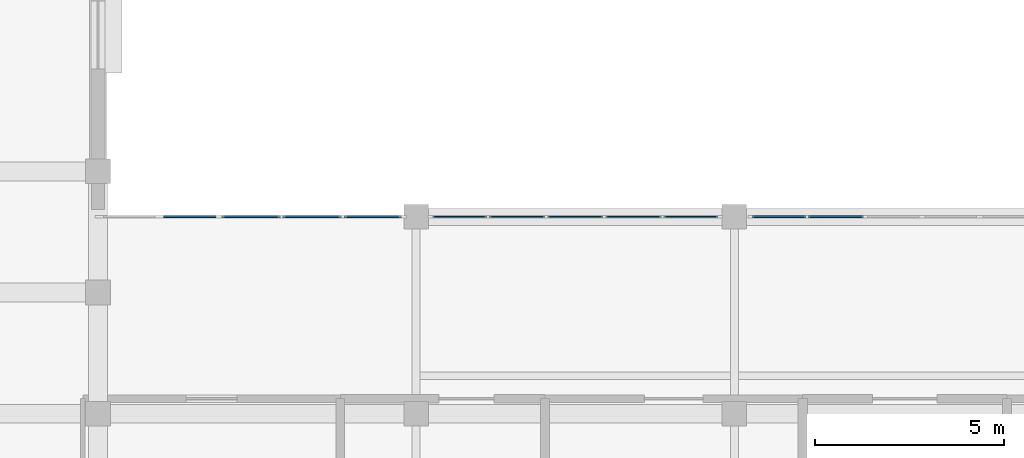
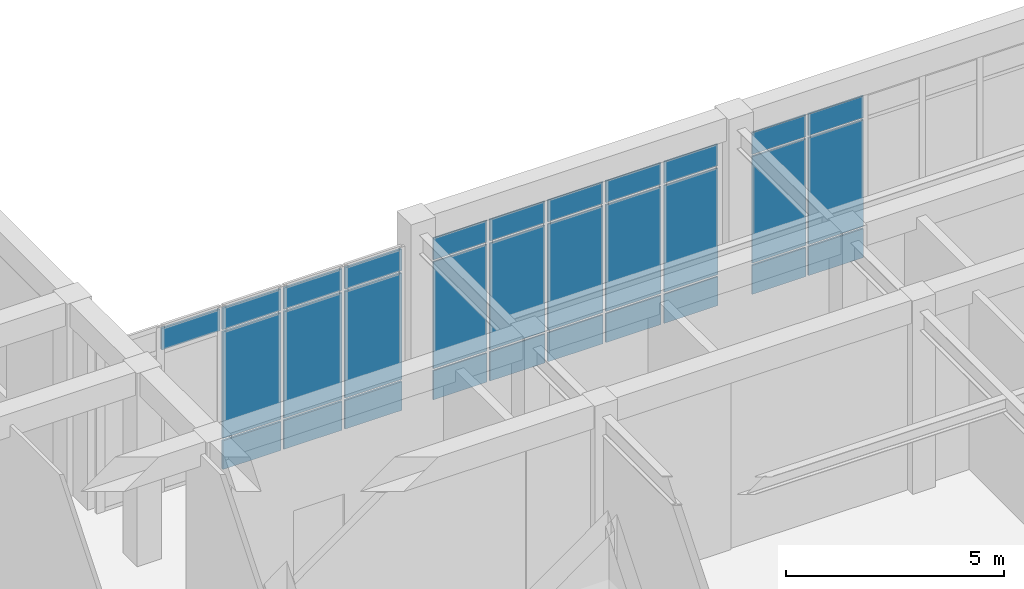
# One storey, part 46 of 89: 31 plates, 3 elements without a shape of their own.
"""IFC4 building model written with IfcOpenShell, lengths in metres."""

from ifc_helpers import new_model, si_unit, direction, frame, origin, origin_2d, place, context, subcontext, project, spatial, rectangle, extrude, material, layer, layer_set, type_object, element, aggregate, save


model = new_model("IFC4")

# Units and contexts
model_context = context("Model", 3, precision=1e-05, world=origin(), true_north=direction((0.0, 1.0)))
body_context = subcontext(model_context, "Body", "Model", "MODEL_VIEW")
ifc_project = project(units=[si_unit("LENGTHUNIT", "METRE"), si_unit("AREAUNIT", "SQUARE_METRE"), si_unit("VOLUMEUNIT", "CUBIC_METRE"), si_unit("PLANEANGLEUNIT", "RADIAN"), si_unit("MASSUNIT", "GRAM", prefix="KILO")], contexts=[model_context])

# Site, building, storey
site_placement = place(None, origin())
site = spatial("IfcSite", under=ifc_project, at=site_placement, CompositionType="ELEMENT")
building_placement = place(site_placement, origin())
building = spatial("IfcBuilding", under=site, at=building_placement, Name="Varncliffe General Hospital", CompositionType="ELEMENT")
storey_placement = place(building_placement, frame((0.0, 0.0, 10.800048828125)))
storey = spatial("IfcBuildingStorey", under=building, at=storey_placement, Name="L02", CompositionType="ELEMENT", Elevation=10.800048828125)

# Curtain wall, plates
ifc_material_1 = material(Name="Triple low-E argon insulated vision glazing", Category="glass")
curtain_wall_type_1 = type_object("IfcCurtainWallType", Name="Unitised Glazed Curtain Wall CW26 (7594x4640)", PredefinedType="USERDEFINED", material=ifc_material_1)
curtain_wall_1_placement = place(storey_placement, origin())
curtain_wall_1 = element("IfcCurtainWall", 1, at=curtain_wall_1_placement, inside=storey, type_object=curtain_wall_type_1, Name="L02 Glazed Curtain Wall CW26-113", ObjectType="GLAZED CURTAIN WALL", PredefinedType="USERDEFINED")
ifc_layer_1 = layer(ifc_material_1, 0.0439453125)
ifc_layer_set_1 = layer_set([ifc_layer_1], Name="Triple low-E argon insulated vision glazing")
plate_type_1 = type_object("IfcPlateType", Name="Curtain Wall Glazing Panel CP12 (44mm)", PredefinedType="CURTAIN_PANEL", material=ifc_layer_set_1)
plate_1_placement = place(storey_placement, frame((85.1787109375, 108.0, 0.059814453125), z_axis=(0.0, 0.0, 1.0), x_axis=(1.0, 0.0, 0.0)))
plate_1 = element("IfcPlate", 2, at=plate_1_placement, type_object=plate_type_1, Name="CW26 panel 1.1", PredefinedType="CURTAIN_PANEL", context=body_context, shape_type="SweptSolid", body=[
    extrude(rectangle(XDim=1.42138671875, YDim=0.0439453125, at=origin_2d()), origin(), (0.0, 0.0, 1.0), 0.81005859375),
])
plate_2_placement = place(storey_placement, frame((85.1787109375, 108.0, 0.929931640625), z_axis=(0.0, 0.0, 1.0), x_axis=(1.0, 0.0, 0.0)))
plate_2 = element("IfcPlate", 3, at=plate_2_placement, type_object=plate_type_1, Name="CW26 panel 1.2", PredefinedType="CURTAIN_PANEL", context=body_context, shape_type="SweptSolid", body=[
    extrude(rectangle(XDim=1.42138671875, YDim=0.0439453125, at=origin_2d()), origin(), (0.0, 0.0, 1.0), 2.97998046875),
])
plate_3_placement = place(storey_placement, frame((85.1787109375, 108.0, 3.9697265625), z_axis=(0.0, 0.0, 1.0), x_axis=(1.0, 0.0, 0.0)))
plate_3 = element("IfcPlate", 4, at=plate_3_placement, type_object=plate_type_1, Name="CW26 panel 1.3", PredefinedType="CURTAIN_PANEL", context=body_context, shape_type="SweptSolid", body=[
    extrude(rectangle(XDim=1.42138671875, YDim=0.0439453125, at=origin_2d()), origin(), (0.0, 0.0, 1.0), 0.610107421875),
])
plate_4_placement = place(storey_placement, frame((86.68115234375, 108.0, 0.059814453125), z_axis=(0.0, 0.0, 1.0), x_axis=(1.0, 0.0, 0.0)))
plate_4 = element("IfcPlate", 5, at=plate_4_placement, type_object=plate_type_1, Name="CW26 panel 2.1", PredefinedType="CURTAIN_PANEL", context=body_context, shape_type="SweptSolid", body=[
    extrude(rectangle(XDim=1.453857421875, YDim=0.0439453125, at=origin_2d()), origin(), (0.0, 0.0, 1.0), 0.81005859375),
])
plate_5_placement = place(storey_placement, frame((86.68115234375, 108.0, 0.929931640625), z_axis=(0.0, 0.0, 1.0), x_axis=(1.0, 0.0, 0.0)))
plate_5 = element("IfcPlate", 6, at=plate_5_placement, type_object=plate_type_1, Name="CW26 panel 2.2", PredefinedType="CURTAIN_PANEL", context=body_context, shape_type="SweptSolid", body=[
    extrude(rectangle(XDim=1.453857421875, YDim=0.0439453125, at=origin_2d()), origin(), (0.0, 0.0, 1.0), 2.97998046875),
])
plate_6_placement = place(storey_placement, frame((86.68115234375, 108.0, 3.9697265625), z_axis=(0.0, 0.0, 1.0), x_axis=(1.0, 0.0, 0.0)))
plate_6 = element("IfcPlate", 7, at=plate_6_placement, type_object=plate_type_1, Name="CW26 panel 2.3", PredefinedType="CURTAIN_PANEL", context=body_context, shape_type="SweptSolid", body=[
    extrude(rectangle(XDim=1.453857421875, YDim=0.0439453125, at=origin_2d()), origin(), (0.0, 0.0, 1.0), 0.610107421875),
])
aggregate(curtain_wall_1, [plate_1, plate_2, plate_3, plate_4, plate_5, plate_6])

curtain_wall_type_2 = type_object("IfcCurtainWallType", Name="Unitised Glazed Curtain Wall CW15 (7674x4640)", PredefinedType="USERDEFINED", material=ifc_material_1)
curtain_wall_2_placement = place(storey_placement, origin())
curtain_wall_2 = element("IfcCurtainWall", 8, at=curtain_wall_2_placement, inside=storey, type_object=curtain_wall_type_2, Name="L02 Glazed Curtain Wall CW15-112", ObjectType="GLAZED CURTAIN WALL", PredefinedType="USERDEFINED")
ifc_layer_2 = layer(ifc_material_1, 0.035888671875)
ifc_layer_set_2 = layer_set([ifc_layer_2], Name="Triple low-E argon insulated vision glazing")
plate_type_2 = type_object("IfcPlateType", Name="Curtain Wall Glazing Panel CP27 (36mm)", PredefinedType="CURTAIN_PANEL", material=ifc_layer_set_2)
plate_7_placement = place(storey_placement, frame((76.749267578125, 108.0, 0.059814453125), z_axis=(0.0, 0.0, 1.0), x_axis=(1.0, 0.0, 0.0)))
plate_7 = element("IfcPlate", 9, at=plate_7_placement, type_object=plate_type_2, Name="CW15 panel 1.1", PredefinedType="CURTAIN_PANEL", context=body_context, shape_type="SweptSolid", body=[
    extrude(rectangle(XDim=1.42236328125, YDim=0.035888671875, at=origin_2d()), origin(), (0.0, 0.0, 1.0), 0.81005859375),
])
plate_8_placement = place(storey_placement, frame((76.749267578125, 108.0, 0.929931640625), z_axis=(0.0, 0.0, 1.0), x_axis=(1.0, 0.0, 0.0)))
plate_8 = element("IfcPlate", 10, at=plate_8_placement, type_object=plate_type_2, Name="CW15 panel 1.2", PredefinedType="CURTAIN_PANEL", context=body_context, shape_type="SweptSolid", body=[
    extrude(rectangle(XDim=1.42236328125, YDim=0.035888671875, at=origin_2d()), origin(), (0.0, 0.0, 1.0), 2.97998046875),
])
plate_9_placement = place(storey_placement, frame((76.749267578125, 108.0, 3.9697265625), z_axis=(0.0, 0.0, 1.0), x_axis=(1.0, 0.0, 0.0)))
plate_9 = element("IfcPlate", 11, at=plate_9_placement, type_object=plate_type_2, Name="CW15 panel 1.3", PredefinedType="CURTAIN_PANEL", context=body_context, shape_type="SweptSolid", body=[
    extrude(rectangle(XDim=1.42236328125, YDim=0.035888671875, at=origin_2d()), origin(), (0.0, 0.0, 1.0), 0.610107421875),
])
plate_10_placement = place(storey_placement, frame((78.26513671875, 108.0, 0.059814453125), z_axis=(0.0, 0.0, 1.0), x_axis=(1.0, 0.0, 0.0)))
plate_10 = element("IfcPlate", 12, at=plate_10_placement, type_object=plate_type_2, Name="CW15 panel 2.1", PredefinedType="CURTAIN_PANEL", context=body_context, shape_type="SweptSolid", body=[
    extrude(rectangle(XDim=1.459716796875, YDim=0.035888671875, at=origin_2d()), origin(), (0.0, 0.0, 1.0), 0.81005859375),
])
plate_11_placement = place(storey_placement, frame((78.26513671875, 108.0, 0.929931640625), z_axis=(0.0, 0.0, 1.0), x_axis=(1.0, 0.0, 0.0)))
plate_11 = element("IfcPlate", 13, at=plate_11_placement, type_object=plate_type_2, Name="CW15 panel 2.2", PredefinedType="CURTAIN_PANEL", context=body_context, shape_type="SweptSolid", body=[
    extrude(rectangle(XDim=1.459716796875, YDim=0.035888671875, at=origin_2d()), origin(), (0.0, 0.0, 1.0), 2.97998046875),
])
plate_12_placement = place(storey_placement, frame((78.26513671875, 108.0, 3.9697265625), z_axis=(0.0, 0.0, 1.0), x_axis=(1.0, 0.0, 0.0)))
plate_12 = element("IfcPlate", 14, at=plate_12_placement, type_object=plate_type_2, Name="CW15 panel 2.3", PredefinedType="CURTAIN_PANEL", context=body_context, shape_type="SweptSolid", body=[
    extrude(rectangle(XDim=1.459716796875, YDim=0.035888671875, at=origin_2d()), origin(), (0.0, 0.0, 1.0), 0.610107421875),
])
plate_13_placement = place(storey_placement, frame((79.800048828125, 108.0, 0.059814453125), z_axis=(0.0, 0.0, 1.0), x_axis=(1.0, 0.0, 0.0)))
plate_13 = element("IfcPlate", 15, at=plate_13_placement, type_object=plate_type_2, Name="CW15 panel 3.1", PredefinedType="CURTAIN_PANEL", context=body_context, shape_type="SweptSolid", body=[
    extrude(rectangle(XDim=1.459716796875, YDim=0.035888671875, at=origin_2d()), origin(), (0.0, 0.0, 1.0), 0.81005859375),
])
plate_14_placement = place(storey_placement, frame((79.800048828125, 108.0, 0.929931640625), z_axis=(0.0, 0.0, 1.0), x_axis=(1.0, 0.0, 0.0)))
plate_14 = element("IfcPlate", 16, at=plate_14_placement, type_object=plate_type_2, Name="CW15 panel 3.2", PredefinedType="CURTAIN_PANEL", context=body_context, shape_type="SweptSolid", body=[
    extrude(rectangle(XDim=1.459716796875, YDim=0.035888671875, at=origin_2d()), origin(), (0.0, 0.0, 1.0), 2.97998046875),
])
plate_15_placement = place(storey_placement, frame((79.800048828125, 108.0, 3.9697265625), z_axis=(0.0, 0.0, 1.0), x_axis=(1.0, 0.0, 0.0)))
plate_15 = element("IfcPlate", 17, at=plate_15_placement, type_object=plate_type_2, Name="CW15 panel 3.3", PredefinedType="CURTAIN_PANEL", context=body_context, shape_type="SweptSolid", body=[
    extrude(rectangle(XDim=1.459716796875, YDim=0.035888671875, at=origin_2d()), origin(), (0.0, 0.0, 1.0), 0.610107421875),
])
plate_16_placement = place(storey_placement, frame((81.334716796875, 108.0, 0.059814453125), z_axis=(0.0, 0.0, 1.0), x_axis=(1.0, 0.0, 0.0)))
plate_16 = element("IfcPlate", 18, at=plate_16_placement, type_object=plate_type_2, Name="CW15 panel 4.1", PredefinedType="CURTAIN_PANEL", context=body_context, shape_type="SweptSolid", body=[
    extrude(rectangle(XDim=1.459716796875, YDim=0.035888671875, at=origin_2d()), origin(), (0.0, 0.0, 1.0), 0.81005859375),
])
plate_17_placement = place(storey_placement, frame((81.334716796875, 108.0, 0.929931640625), z_axis=(0.0, 0.0, 1.0), x_axis=(1.0, 0.0, 0.0)))
plate_17 = element("IfcPlate", 19, at=plate_17_placement, type_object=plate_type_2, Name="CW15 panel 4.2", PredefinedType="CURTAIN_PANEL", context=body_context, shape_type="SweptSolid", body=[
    extrude(rectangle(XDim=1.459716796875, YDim=0.035888671875, at=origin_2d()), origin(), (0.0, 0.0, 1.0), 2.97998046875),
])
plate_18_placement = place(storey_placement, frame((81.334716796875, 108.0, 3.9697265625), z_axis=(0.0, 0.0, 1.0), x_axis=(1.0, 0.0, 0.0)))
plate_18 = element("IfcPlate", 20, at=plate_18_placement, type_object=plate_type_2, Name="CW15 panel 4.3", PredefinedType="CURTAIN_PANEL", context=body_context, shape_type="SweptSolid", body=[
    extrude(rectangle(XDim=1.459716796875, YDim=0.035888671875, at=origin_2d()), origin(), (0.0, 0.0, 1.0), 0.610107421875),
])
plate_19_placement = place(storey_placement, frame((82.850830078125, 108.0, 0.059814453125), z_axis=(0.0, 0.0, 1.0), x_axis=(1.0, 0.0, 0.0)))
plate_19 = element("IfcPlate", 21, at=plate_19_placement, type_object=plate_type_2, Name="CW15 panel 5.1", PredefinedType="CURTAIN_PANEL", context=body_context, shape_type="SweptSolid", body=[
    extrude(rectangle(XDim=1.42236328125, YDim=0.035888671875, at=origin_2d()), origin(), (0.0, 0.0, 1.0), 0.81005859375),
])
plate_20_placement = place(storey_placement, frame((82.850830078125, 108.0, 0.929931640625), z_axis=(0.0, 0.0, 1.0), x_axis=(1.0, 0.0, 0.0)))
plate_20 = element("IfcPlate", 22, at=plate_20_placement, type_object=plate_type_2, Name="CW15 panel 5.2", PredefinedType="CURTAIN_PANEL", context=body_context, shape_type="SweptSolid", body=[
    extrude(rectangle(XDim=1.42236328125, YDim=0.035888671875, at=origin_2d()), origin(), (0.0, 0.0, 1.0), 2.97998046875),
])
plate_21_placement = place(storey_placement, frame((82.850830078125, 108.0, 3.9697265625), z_axis=(0.0, 0.0, 1.0), x_axis=(1.0, 0.0, 0.0)))
plate_21 = element("IfcPlate", 23, at=plate_21_placement, type_object=plate_type_2, Name="CW15 panel 5.3", PredefinedType="CURTAIN_PANEL", context=body_context, shape_type="SweptSolid", body=[
    extrude(rectangle(XDim=1.42236328125, YDim=0.035888671875, at=origin_2d()), origin(), (0.0, 0.0, 1.0), 0.610107421875),
])
aggregate(curtain_wall_2, [plate_7, plate_8, plate_9, plate_10, plate_11, plate_12, plate_13, plate_14, plate_15, plate_16, plate_17, plate_18, plate_19, plate_20, plate_21])

curtain_wall_type_3 = type_object("IfcCurtainWallType", Name="Unitised Glazed Curtain Wall CW32 (8077x4640)", PredefinedType="USERDEFINED", material=ifc_material_1)
curtain_wall_3_placement = place(storey_placement, origin())
curtain_wall_3 = element("IfcCurtainWall", 24, at=curtain_wall_3_placement, inside=storey, type_object=curtain_wall_type_3, Name="L02 Glazed Curtain Wall CW32-111", ObjectType="GLAZED CURTAIN WALL", PredefinedType="USERDEFINED")
ifc_material_2 = material(Name="Insulated ceramic-fritted spandrel glazing panel", Category="glass")
ifc_layer_3 = layer(ifc_material_2, 0.052001953125)
ifc_layer_set_3 = layer_set([ifc_layer_3], Name="Insulated ceramic-fritted spandrel glazing panel")
plate_type_3 = type_object("IfcPlateType", Name="Curtain Wall Glazing Panel CP46 (52mm)", PredefinedType="CURTAIN_PANEL", material=ifc_layer_set_3)
plate_22_placement = place(storey_placement, frame((69.623046875, 108.0, 3.972412109375), z_axis=(0.0, 0.0, 1.0), x_axis=(1.0, 0.0, 0.0)))
plate_22 = element("IfcPlate", 25, at=plate_22_placement, type_object=plate_type_3, Name="CW32 panel 2.3", PredefinedType="CURTAIN_PANEL", context=body_context, shape_type="SweptSolid", body=[
    extrude(rectangle(XDim=1.540283203125, YDim=0.052001953125, at=origin_2d()), origin(), (0.0, 0.0, 1.0), 0.6025390625),
])
plate_23_placement = place(storey_placement, frame((71.238525390625, 108.0, 0.06494140625), z_axis=(0.0, 0.0, 1.0), x_axis=(1.0, 0.0, 0.0)))
plate_23 = element("IfcPlate", 26, at=plate_23_placement, type_object=plate_type_3, Name="CW32 panel 3.1", PredefinedType="CURTAIN_PANEL", context=body_context, shape_type="SweptSolid", body=[
    extrude(rectangle(XDim=1.540283203125, YDim=0.052001953125, at=origin_2d()), origin(), (0.0, 0.0, 1.0), 0.802490234375),
])
plate_24_placement = place(storey_placement, frame((71.238525390625, 108.0, 0.932373046875), z_axis=(0.0, 0.0, 1.0), x_axis=(1.0, 0.0, 0.0)))
plate_24 = element("IfcPlate", 27, at=plate_24_placement, type_object=plate_type_3, Name="CW32 panel 3.2", PredefinedType="CURTAIN_PANEL", context=body_context, shape_type="SweptSolid", body=[
    extrude(rectangle(XDim=1.540283203125, YDim=0.052001953125, at=origin_2d()), origin(), (0.0, 0.0, 1.0), 2.97509765625),
])
plate_25_placement = place(storey_placement, frame((71.238525390625, 108.0, 3.972412109375), z_axis=(0.0, 0.0, 1.0), x_axis=(1.0, 0.0, 0.0)))
plate_25 = element("IfcPlate", 28, at=plate_25_placement, type_object=plate_type_3, Name="CW32 panel 3.3", PredefinedType="CURTAIN_PANEL", context=body_context, shape_type="SweptSolid", body=[
    extrude(rectangle(XDim=1.540283203125, YDim=0.052001953125, at=origin_2d()), origin(), (0.0, 0.0, 1.0), 0.6025390625),
])
plate_26_placement = place(storey_placement, frame((72.85400390625, 108.0, 0.06494140625), z_axis=(0.0, 0.0, 1.0), x_axis=(1.0, 0.0, 0.0)))
plate_26 = element("IfcPlate", 29, at=plate_26_placement, type_object=plate_type_3, Name="CW32 panel 4.1", PredefinedType="CURTAIN_PANEL", context=body_context, shape_type="SweptSolid", body=[
    extrude(rectangle(XDim=1.540283203125, YDim=0.052001953125, at=origin_2d()), origin(), (0.0, 0.0, 1.0), 0.802490234375),
])
plate_27_placement = place(storey_placement, frame((72.85400390625, 108.0, 0.932373046875), z_axis=(0.0, 0.0, 1.0), x_axis=(1.0, 0.0, 0.0)))
plate_27 = element("IfcPlate", 30, at=plate_27_placement, type_object=plate_type_3, Name="CW32 panel 4.2", PredefinedType="CURTAIN_PANEL", context=body_context, shape_type="SweptSolid", body=[
    extrude(rectangle(XDim=1.540283203125, YDim=0.052001953125, at=origin_2d()), origin(), (0.0, 0.0, 1.0), 2.97509765625),
])
plate_28_placement = place(storey_placement, frame((72.85400390625, 108.0, 3.972412109375), z_axis=(0.0, 0.0, 1.0), x_axis=(1.0, 0.0, 0.0)))
plate_28 = element("IfcPlate", 31, at=plate_28_placement, type_object=plate_type_3, Name="CW32 panel 4.3", PredefinedType="CURTAIN_PANEL", context=body_context, shape_type="SweptSolid", body=[
    extrude(rectangle(XDim=1.540283203125, YDim=0.052001953125, at=origin_2d()), origin(), (0.0, 0.0, 1.0), 0.6025390625),
])
plate_29_placement = place(storey_placement, frame((74.450439453125, 108.0, 0.06494140625), z_axis=(0.0, 0.0, 1.0), x_axis=(1.0, 0.0, 0.0)))
plate_29 = element("IfcPlate", 32, at=plate_29_placement, type_object=plate_type_3, Name="CW32 panel 5.1", PredefinedType="CURTAIN_PANEL", context=body_context, shape_type="SweptSolid", body=[
    extrude(rectangle(XDim=1.5029296875, YDim=0.052001953125, at=origin_2d()), origin(), (0.0, 0.0, 1.0), 0.802490234375),
])
plate_30_placement = place(storey_placement, frame((74.450439453125, 108.0, 0.932373046875), z_axis=(0.0, 0.0, 1.0), x_axis=(1.0, 0.0, 0.0)))
plate_30 = element("IfcPlate", 33, at=plate_30_placement, type_object=plate_type_3, Name="CW32 panel 5.2", PredefinedType="CURTAIN_PANEL", context=body_context, shape_type="SweptSolid", body=[
    extrude(rectangle(XDim=1.5029296875, YDim=0.052001953125, at=origin_2d()), origin(), (0.0, 0.0, 1.0), 2.97509765625),
])
plate_31_placement = place(storey_placement, frame((74.450439453125, 108.0, 3.972412109375), z_axis=(0.0, 0.0, 1.0), x_axis=(1.0, 0.0, 0.0)))
plate_31 = element("IfcPlate", 34, at=plate_31_placement, type_object=plate_type_3, Name="CW32 panel 5.3", PredefinedType="CURTAIN_PANEL", context=body_context, shape_type="SweptSolid", body=[
    extrude(rectangle(XDim=1.5029296875, YDim=0.052001953125, at=origin_2d()), origin(), (0.0, 0.0, 1.0), 0.6025390625),
])
aggregate(curtain_wall_3, [plate_22, plate_23, plate_24, plate_25, plate_26, plate_27, plate_28, plate_29, plate_30, plate_31])

save(model, "model.ifc")
